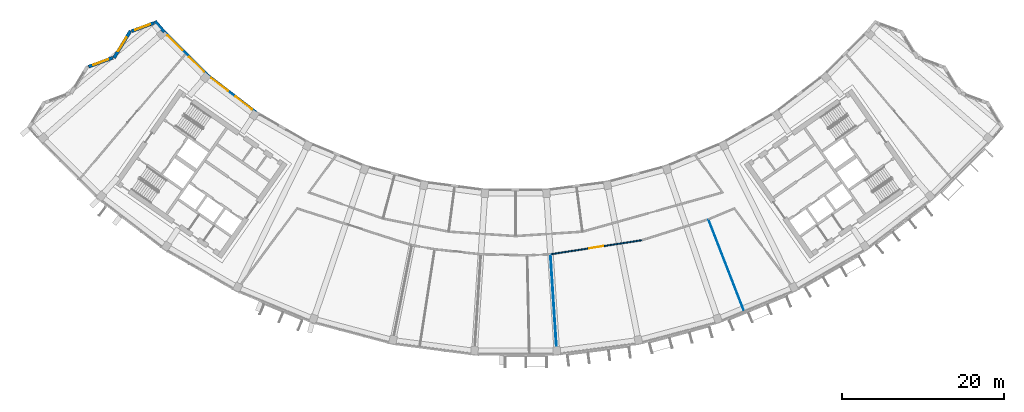
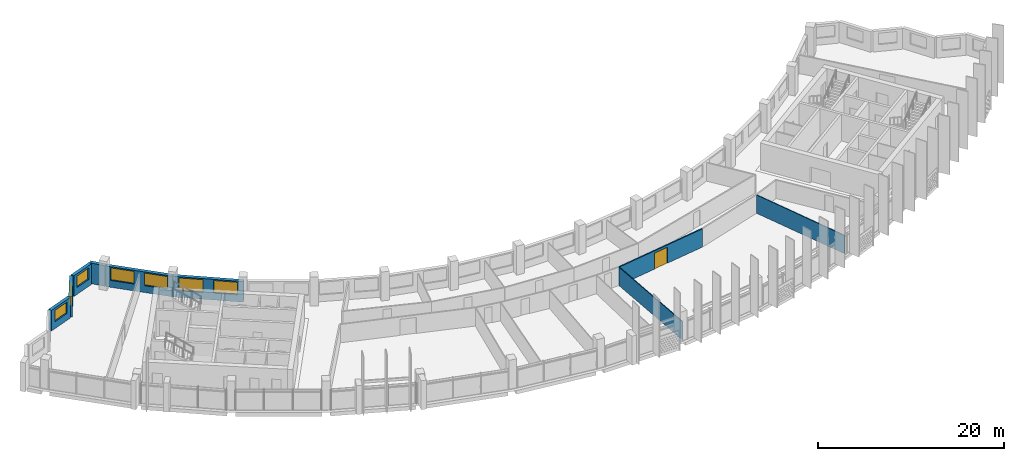
# One storey, part 5 of 28: 9 walls, 7 windows, 1 door, 8 openings.
"""IFC4 building model written with IfcOpenShell, lengths in metres."""

from ifc_helpers import new_model, si_unit, direction, frame, frame_2d, origin, place, context, subcontext, project, spatial, rectangle, extrude, material, layer, layer_set, type_object, element, fill, save


model = new_model("IFC4")

# Units and contexts
model_context = context("Model", 3, precision=1e-05, world=origin(), true_north=direction((0.0, 1.0)))
body_context = subcontext(model_context, "Body", "Model", "MODEL_VIEW")
ifc_project = project(units=[si_unit("LENGTHUNIT", "METRE"), si_unit("AREAUNIT", "SQUARE_METRE"), si_unit("VOLUMEUNIT", "CUBIC_METRE"), si_unit("PLANEANGLEUNIT", "RADIAN"), si_unit("MASSUNIT", "GRAM", prefix="KILO")], contexts=[model_context])

# Site, building, storey
site_placement = place(None, origin())
site = spatial("IfcSite", under=ifc_project, at=site_placement, CompositionType="ELEMENT")
building_placement = place(site_placement, origin())
building = spatial("IfcBuilding", under=site, at=building_placement, Name="Qamariyya Broadcast Tower", CompositionType="ELEMENT")
storey_placement = place(building_placement, frame((0.0, 0.0, 273.300048828125)))
storey = spatial("IfcBuildingStorey", under=building, at=storey_placement, Name="L66", CompositionType="ELEMENT", Elevation=273.300048828125)

# Wall, opening, door
ifc_material_1 = material(Name="Gypsum board partition")
ifc_layer_1 = layer(ifc_material_1, 0.14990234375)
ifc_layer_set_1 = layer_set([ifc_layer_1], Name="Corridor partition 150 EI 60")
wall_type_1 = type_object("IfcWallType", Name="Corridor partition 150 EI 60", PredefinedType="PARTITIONING", material=ifc_layer_set_1)
wall_1_placement = place(storey_placement, frame((15.62939453125, -63.916015625, 0.0), z_axis=(0.0, 0.0, 1.0), x_axis=(-0.988362336337, -0.152118020337, 0.0)))
wall_1 = element("IfcWall", 1, at=wall_1_placement, inside=storey, type_object=wall_type_1, Name="Partition L66-020", PredefinedType="PARTITIONING", context=body_context, shape_type="SweptSolid", body=[
    extrude(rectangle(XDim=11.459228515625, YDim=0.14990234375, at=frame_2d((5.7294921875, 0.0))), origin(), (0.0, 0.0, 1.0), 2.39990234375),
])
opening_1_placement = place(wall_1_placement, frame((4.82958984375, 0.0, 0.0)))
opening_1 = element("IfcOpeningElement", 2, at=opening_1_placement, cuts=wall_1, Name="Opening L66-D06", PredefinedType="OPENING", context=body_context, shape_type="SweptSolid", body=[
    extrude(rectangle(XDim=1.800048828125, YDim=2.10009765625, at=frame_2d((0.89990234375, 1.050048828125))), frame((0.0, 0.0849609375, 0.0), z_axis=(0.0, -1.0, 0.0), x_axis=(1.0, 0.0, 0.0)), (0.0, 0.0, 1.0), 0.169921875),
])
ifc_material_2 = material(Name="Timber fire door leaf", Category="wood")
door_type = type_object("IfcDoorType", Name="Double fire door 1800 x 2100 FD60", OperationType="NOTDEFINED", PredefinedType="DOOR", material=ifc_material_2)
door_placement = place(opening_1_placement, origin())
door = element("IfcDoor", 3, at=door_placement, inside=storey, type_object=door_type, Name="Door L66-D06", OperationType="DOUBLE_DOOR_SINGLE_SWING", OverallHeight=2.10009765625, OverallWidth=1.800048828125, PredefinedType="DOOR", context=body_context, shape_type="SweptSolid", body=[
    extrude(rectangle(XDim=1.800048828125, YDim=2.10009765625, at=frame_2d((0.89990234375, 1.050048828125))), frame((0.0, 0.02490234375, 0.0), z_axis=(0.0, -1.0, 0.0), x_axis=(1.0, 0.0, 0.0)), (0.0, 0.0, 1.0), 0.050048828125),
])
fill(opening_1, door)

# Walls
ifc_layer_2 = layer(ifc_material_1, 0.10009765625)
ifc_layer_set_2 = layer_set([ifc_layer_2], Name="Partition 100")
wall_type_2 = type_object("IfcWallType", Name="Partition 100", PredefinedType="PARTITIONING", material=ifc_layer_set_2)
wall_2_placement = place(storey_placement, frame((5.111328125, -77.982666015625, 0.0), z_axis=(0.0, 0.0, 1.0), x_axis=(-0.065415386497, 0.997858119779, 0.0)))
element("IfcWall", 4, at=wall_2_placement, inside=storey, type_object=wall_type_2, Name="Partition L66-021", PredefinedType="PARTITIONING", context=body_context, shape_type="SweptSolid", body=[
    extrude(rectangle(XDim=12.275146484375, YDim=0.10009765625, at=frame_2d((6.1376953125, 0.0))), origin(), (0.0, 0.0, 1.0), 2.39990234375),
])
wall_3_placement = place(storey_placement, frame((28.2685546875, -72.6982421875, 0.0), z_axis=(0.0, 0.0, 1.0), x_axis=(-0.362410311337, 0.932018651228, 0.0)))
element("IfcWall", 5, at=wall_3_placement, inside=storey, type_object=wall_type_2, Name="Partition L66-028", PredefinedType="PARTITIONING", context=body_context, shape_type="SweptSolid", body=[
    extrude(rectangle(XDim=12.125732421875, YDim=0.10009765625, at=frame_2d((6.06298828125, 0.0))), origin(), (0.0, 0.0, 1.0), 2.39990234375),
])

# Wall, opening, window
ifc_material_3 = material(Name="Terracotta", Category="masonry")
ifc_layer_3 = layer(ifc_material_3, 0.39990234375)
ifc_layer_set_3 = layer_set([ifc_layer_3], Name="Terracotta clad wall 400")
wall_type_3 = type_object("IfcWallType", Name="Terracotta clad wall 400", PredefinedType="SOLIDWALL", material=ifc_layer_set_3)
wall_4_placement = place(storey_placement, frame((-44.7529296875, -37.027587890625, 0.0), z_axis=(0.0, 0.0, 1.0), x_axis=(-0.937839287764, -0.347069834942, 0.0)))
wall_4 = element("IfcWall", 6, at=wall_4_placement, inside=storey, type_object=wall_type_3, Name="e-wl-L66-capW0", PredefinedType="SOLIDWALL", context=body_context, shape_type="SweptSolid", body=[
    extrude(rectangle(XDim=2.959228515625, YDim=0.39990234375, at=frame_2d((1.4794921875, 0.0))), origin(), (0.0, 0.0, 1.0), 2.699951171875),
])
opening_2_placement = place(wall_4_placement, frame((0.479736328125, 0.0, 0.89990234375)))
opening_2 = element("IfcOpeningElement", 7, at=opening_2_placement, cuts=wall_4, Name="Opening W4", PredefinedType="OPENING", context=body_context, shape_type="SweptSolid", body=[
    extrude(rectangle(XDim=2.0, YDim=1.5, at=frame_2d((1.0, 0.75))), frame((0.0, 0.2099609375, 0.0), z_axis=(0.0, -1.0, 0.0), x_axis=(1.0, 0.0, 0.0)), (0.0, 0.0, 1.0), 0.419921875),
])
ifc_material_4 = material(Name="Clear low-e double glazed unit in aluminium frame", Category="aluminium")
window_type_1 = type_object("IfcWindowType", Name="Horn bay window 2000 x 1500", PartitioningType="SINGLE_PANEL", PredefinedType="WINDOW", material=ifc_material_4)
window_1_placement = place(opening_2_placement, origin())
window_1 = element("IfcWindow", 8, at=window_1_placement, inside=storey, type_object=window_type_1, Name="e-w-L66-capW0", OverallHeight=1.5, OverallWidth=2.0, PartitioningType="SINGLE_PANEL", PredefinedType="WINDOW", context=body_context, shape_type="SweptSolid", body=[
    extrude(rectangle(XDim=2.0, YDim=1.5, at=frame_2d((1.0, 0.75))), frame((0.0, 0.030029296875, 0.0), z_axis=(0.0, -1.0, 0.0), x_axis=(1.0, 0.0, 0.0)), (0.0, 0.0, 1.0), 0.06005859375),
])
fill(opening_2, window_1)

wall_5_placement = place(storey_placement, frame((-47.67138671875, -38.02490234375, 0.0), z_axis=(0.0, 0.0, 1.0), x_axis=(-0.520071617607, -0.854122656625, 0.0)))
wall_5 = element("IfcWall", 9, at=wall_5_placement, inside=storey, type_object=wall_type_3, Name="e-wl-L66-capW1", PredefinedType="SOLIDWALL", context=body_context, shape_type="SweptSolid", body=[
    extrude(rectangle(XDim=3.91357421875, YDim=0.39990234375, at=frame_2d((1.956787109375, 0.0))), origin(), (0.0, 0.0, 1.0), 2.699951171875),
])
opening_3_placement = place(wall_5_placement, frame((0.95703125, 0.0, 0.89990234375)))
opening_3 = element("IfcOpeningElement", 10, at=opening_3_placement, cuts=wall_5, Name="Opening W4", PredefinedType="OPENING", context=body_context, shape_type="SweptSolid", body=[
    extrude(rectangle(XDim=2.0, YDim=1.5, at=frame_2d((1.0, 0.75))), frame((0.0, 0.2099609375, 0.0), z_axis=(0.0, -1.0, 0.0), x_axis=(1.0, 0.0, 0.0)), (0.0, 0.0, 1.0), 0.419921875),
])
window_2_placement = place(opening_3_placement, origin())
window_2 = element("IfcWindow", 11, at=window_2_placement, inside=storey, type_object=window_type_1, Name="e-w-L66-capW1", OverallHeight=1.5, OverallWidth=2.0, PartitioningType="SINGLE_PANEL", PredefinedType="WINDOW", context=body_context, shape_type="SweptSolid", body=[
    extrude(rectangle(XDim=2.0, YDim=1.5, at=frame_2d((1.0, 0.75))), frame((0.0, 0.030029296875, 0.0), z_axis=(0.0, -1.0, 0.0), x_axis=(1.0, 0.0, 0.0)), (0.0, 0.0, 1.0), 0.06005859375),
])
fill(opening_3, window_2)

wall_6_placement = place(storey_placement, frame((-49.849853515625, -41.337890625, 0.0), z_axis=(0.0, 0.0, 1.0), x_axis=(-0.937810422305, -0.347147824157, 0.0)))
wall_6 = element("IfcWall", 12, at=wall_6_placement, inside=storey, type_object=wall_type_3, Name="e-wl-L66-capW2", PredefinedType="SOLIDWALL", context=body_context, shape_type="SweptSolid", body=[
    extrude(rectangle(XDim=3.19921875, YDim=0.39990234375, at=frame_2d((1.599609375, 0.0))), origin(), (0.0, 0.0, 1.0), 2.699951171875),
])
opening_4_placement = place(wall_6_placement, frame((0.599609375, 0.0, 0.89990234375)))
opening_4 = element("IfcOpeningElement", 13, at=opening_4_placement, cuts=wall_6, Name="Opening W4", PredefinedType="OPENING", context=body_context, shape_type="SweptSolid", body=[
    extrude(rectangle(XDim=2.0, YDim=1.5, at=frame_2d((1.0, 0.75))), frame((0.0, 0.2099609375, 0.0), z_axis=(0.0, -1.0, 0.0), x_axis=(1.0, 0.0, 0.0)), (0.0, 0.0, 1.0), 0.419921875),
])
window_3_placement = place(opening_4_placement, origin())
window_3 = element("IfcWindow", 14, at=window_3_placement, inside=storey, type_object=window_type_1, Name="e-w-L66-capW2", OverallHeight=1.5, OverallWidth=2.0, PartitioningType="SINGLE_PANEL", PredefinedType="WINDOW", context=body_context, shape_type="SweptSolid", body=[
    extrude(rectangle(XDim=2.0, YDim=1.5, at=frame_2d((1.0, 0.75))), frame((0.0, 0.030029296875, 0.0), z_axis=(0.0, -1.0, 0.0), x_axis=(1.0, 0.0, 0.0)), (0.0, 0.0, 1.0), 0.06005859375),
])
fill(opening_4, window_3)

# Wall
wall_7_placement = place(storey_placement, frame((-43.48095703125, -38.158447265625, 0.0), z_axis=(0.0, 0.0, 1.0), x_axis=(-0.648037582651, 0.761608358326, 0.0)))
element("IfcWall", 15, at=wall_7_placement, inside=storey, type_object=wall_type_3, Name="e-wl-L66-in00", PredefinedType="SOLIDWALL", context=body_context, shape_type="SweptSolid", body=[
    extrude(rectangle(XDim=1.7841796875, YDim=0.39990234375, at=frame_2d((0.89208984375, 0.0))), origin(), (0.0, 0.0, 1.0), 2.699951171875),
])

# Wall, openings, windows
wall_8_placement = place(storey_placement, frame((-38.17919921875, -43.45849609375, 0.0), z_axis=(0.0, 0.0, 1.0), x_axis=(-0.707106781187, 0.707106781187, 0.0)))
wall_8 = element("IfcWall", 16, at=wall_8_placement, inside=storey, type_object=wall_type_3, Name="e-wl-L66-in10", PredefinedType="SOLIDWALL", context=body_context, shape_type="SweptSolid", body=[
    extrude(rectangle(XDim=7.48046875, YDim=0.39990234375, at=frame_2d((3.740234375, 0.0))), origin(), (0.0, 0.0, 1.0), 2.699951171875),
])
opening_5_placement = place(wall_8_placement, frame((4.318115234375, 0.0, 0.89990234375)))
opening_5 = element("IfcOpeningElement", 17, at=opening_5_placement, cuts=wall_8, Name="Opening W1", PredefinedType="OPENING", context=body_context, shape_type="SweptSolid", body=[
    extrude(rectangle(XDim=2.60009765625, YDim=1.64990234375, at=frame_2d((1.300048828125, 0.824951171875))), frame((0.0, 0.2099609375, 0.0), z_axis=(0.0, -1.0, 0.0), x_axis=(1.0, 0.0, 0.0)), (0.0, 0.0, 1.0), 0.419921875),
])
opening_6_placement = place(wall_8_placement, frame((0.547607421875, 0.0, 0.89990234375)))
opening_6 = element("IfcOpeningElement", 18, at=opening_6_placement, cuts=wall_8, Name="Opening W1", PredefinedType="OPENING", context=body_context, shape_type="SweptSolid", body=[
    extrude(rectangle(XDim=2.60009765625, YDim=1.64990234375, at=frame_2d((1.300048828125, 0.824951171875))), frame((0.0, 0.2099609375, 0.0), z_axis=(0.0, -1.0, 0.0), x_axis=(1.0, 0.0, 0.0)), (0.0, 0.0, 1.0), 0.419921875),
])
window_type_2 = type_object("IfcWindowType", Name="Ribbon window 2600 x 1650", PartitioningType="SINGLE_PANEL", PredefinedType="WINDOW", material=ifc_material_4)
window_4_placement = place(opening_5_placement, origin())
window_4 = element("IfcWindow", 19, at=window_4_placement, inside=storey, type_object=window_type_2, Name="e-w-L66-in01-0", OverallHeight=1.64990234375, OverallWidth=2.60009765625, PartitioningType="SINGLE_PANEL", PredefinedType="WINDOW", context=body_context, shape_type="SweptSolid", body=[
    extrude(rectangle(XDim=2.60009765625, YDim=1.64990234375, at=frame_2d((1.300048828125, 0.824951171875))), frame((0.0, 0.030029296875, 0.0), z_axis=(0.0, -1.0, 0.0), x_axis=(1.0, 0.0, 0.0)), (0.0, 0.0, 1.0), 0.06005859375),
])
fill(opening_5, window_4)
window_5_placement = place(opening_6_placement, origin())
window_5 = element("IfcWindow", 20, at=window_5_placement, inside=storey, type_object=window_type_2, Name="e-w-L66-in01-1", OverallHeight=1.64990234375, OverallWidth=2.60009765625, PartitioningType="SINGLE_PANEL", PredefinedType="WINDOW", context=body_context, shape_type="SweptSolid", body=[
    extrude(rectangle(XDim=2.60009765625, YDim=1.64990234375, at=frame_2d((1.300048828125, 0.824951171875))), frame((0.0, 0.030029296875, 0.0), z_axis=(0.0, -1.0, 0.0), x_axis=(1.0, 0.0, 0.0)), (0.0, 0.0, 1.0), 0.06005859375),
])
fill(opening_6, window_5)

wall_9_placement = place(storey_placement, frame((-32.1201171875, -48.1162109375, 0.0), z_axis=(0.0, 0.0, 1.0), x_axis=(-0.793347844099, 0.608768591719, 0.0)))
wall_9 = element("IfcWall", 21, at=wall_9_placement, inside=storey, type_object=wall_type_3, Name="e-wl-L66-in20", PredefinedType="SOLIDWALL", context=body_context, shape_type="SweptSolid", body=[
    extrude(rectangle(XDim=7.617431640625, YDim=0.39990234375, at=frame_2d((3.80859375, 0.0))), origin(), (0.0, 0.0, 1.0), 2.699951171875),
])
opening_7_placement = place(wall_9_placement, frame((4.393798828125, 0.0, 0.89990234375)))
opening_7 = element("IfcOpeningElement", 22, at=opening_7_placement, cuts=wall_9, Name="Opening W1", PredefinedType="OPENING", context=body_context, shape_type="SweptSolid", body=[
    extrude(rectangle(XDim=2.60009765625, YDim=1.64990234375, at=frame_2d((1.300048828125, 0.824951171875))), frame((0.0, 0.2099609375, 0.0), z_axis=(0.0, -1.0, 0.0), x_axis=(1.0, 0.0, 0.0)), (0.0, 0.0, 1.0), 0.419921875),
])
opening_8_placement = place(wall_9_placement, frame((0.623291015625, 0.0, 0.89990234375)))
opening_8 = element("IfcOpeningElement", 23, at=opening_8_placement, cuts=wall_9, Name="Opening W1", PredefinedType="OPENING", context=body_context, shape_type="SweptSolid", body=[
    extrude(rectangle(XDim=2.60009765625, YDim=1.64990234375, at=frame_2d((1.300048828125, 0.824951171875))), frame((0.0, 0.2099609375, 0.0), z_axis=(0.0, -1.0, 0.0), x_axis=(1.0, 0.0, 0.0)), (0.0, 0.0, 1.0), 0.419921875),
])
window_6_placement = place(opening_7_placement, origin())
window_6 = element("IfcWindow", 24, at=window_6_placement, inside=storey, type_object=window_type_2, Name="e-w-L66-in02-0", OverallHeight=1.64990234375, OverallWidth=2.60009765625, PartitioningType="SINGLE_PANEL", PredefinedType="WINDOW", context=body_context, shape_type="SweptSolid", body=[
    extrude(rectangle(XDim=2.60009765625, YDim=1.64990234375, at=frame_2d((1.300048828125, 0.824951171875))), frame((0.0, 0.030029296875, 0.0), z_axis=(0.0, -1.0, 0.0), x_axis=(1.0, 0.0, 0.0)), (0.0, 0.0, 1.0), 0.06005859375),
])
fill(opening_7, window_6)
window_7_placement = place(opening_8_placement, origin())
window_7 = element("IfcWindow", 25, at=window_7_placement, inside=storey, type_object=window_type_2, Name="e-w-L66-in02-1", OverallHeight=1.64990234375, OverallWidth=2.60009765625, PartitioningType="SINGLE_PANEL", PredefinedType="WINDOW", context=body_context, shape_type="SweptSolid", body=[
    extrude(rectangle(XDim=2.60009765625, YDim=1.64990234375, at=frame_2d((1.300048828125, 0.824951171875))), frame((0.0, 0.030029296875, 0.0), z_axis=(0.0, -1.0, 0.0), x_axis=(1.0, 0.0, 0.0)), (0.0, 0.0, 1.0), 0.06005859375),
])
fill(opening_8, window_7)

save(model, "model.ifc")
